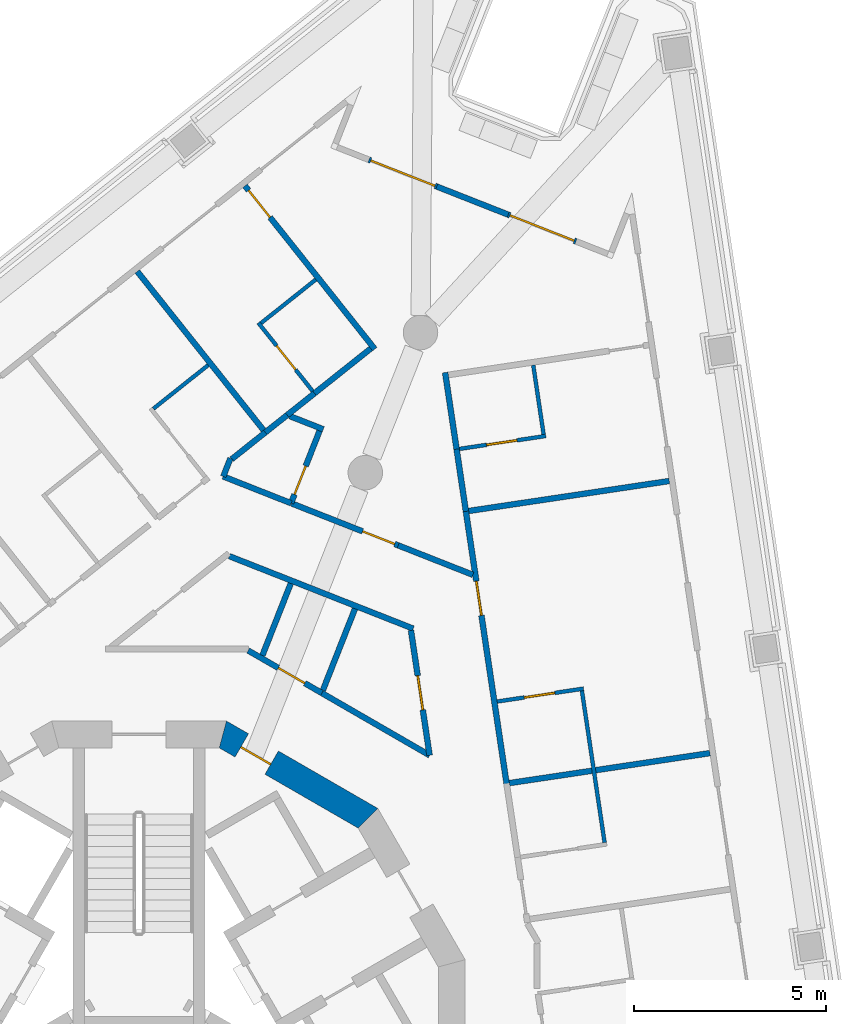
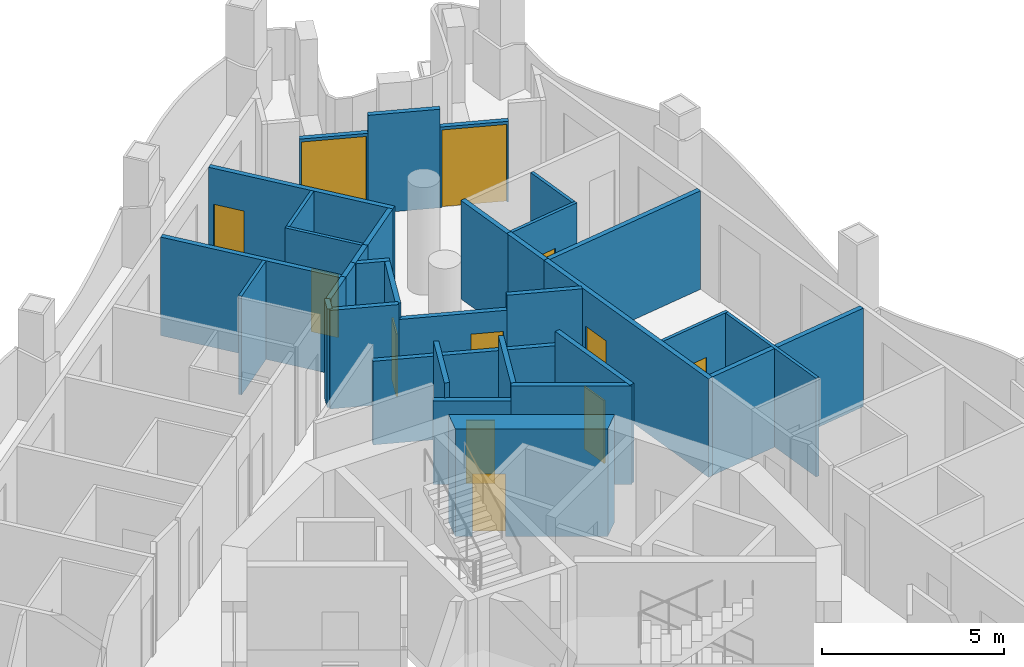
# One storey, part 9 of 17: 34 walls, 12 doors, 12 openings.
"""IFC4 building model written with IfcOpenShell, lengths in metres."""

from ifc_helpers import new_model, si_unit, direction, frame, frame_2d, origin, place, context, subcontext, project, spatial, polyline, rectangle, outline, extrude, material, layer, layer_set, type_object, element, fill, save


model = new_model("IFC4")

# Units and contexts
model_context = context("Model", 3, precision=1e-05, world=origin(), true_north=direction((0.0, 1.0)))
body_context = subcontext(model_context, "Body", "Model", "MODEL_VIEW")
ifc_project = project(units=[si_unit("LENGTHUNIT", "METRE"), si_unit("AREAUNIT", "SQUARE_METRE"), si_unit("VOLUMEUNIT", "CUBIC_METRE"), si_unit("PLANEANGLEUNIT", "RADIAN"), si_unit("MASSUNIT", "GRAM", prefix="KILO")], contexts=[model_context])

# Site, building, storey
site_placement = place(None, origin())
site = spatial("IfcSite", under=ifc_project, at=site_placement, CompositionType="ELEMENT")
building_placement = place(site_placement, origin())
building = spatial("IfcBuilding", under=site, at=building_placement, Name="Trine Commons Tower", CompositionType="ELEMENT")
storey_placement = place(building_placement, frame((0.0, 0.0, 216.0)))
storey = spatial("IfcBuildingStorey", under=building, at=storey_placement, Name="L56", CompositionType="ELEMENT", Elevation=216.0)

# Wall, opening, door
ifc_material_1 = material(Name="Aluminium-framed insulated wall panel", Category="aluminium")
ifc_layer_1 = layer(ifc_material_1, 0.14990234375)
ifc_layer_set_1 = layer_set([ifc_layer_1], Name="Aluminium-framed insulated wall panel")
wall_type_1 = type_object("IfcWallType", Name="Glazed frame wall 150, EI 60", PredefinedType="SOLIDWALL", material=ifc_layer_set_1)
wall_1_placement = place(storey_placement, frame((85.99365234375, 85.628662109375, 0.0), z_axis=(0.0, 0.0, 1.0), x_axis=(0.930387146689, -0.366578446279, 0.0)))
wall_1 = element("IfcWall", 1, at=wall_1_placement, inside=storey, type_object=wall_type_1, Name="Glazed frame wall P1.2", PredefinedType="SOLIDWALL", context=body_context, shape_type="SweptSolid", body=[
    extrude(outline(polyline([(0.0, -0.074951171875), (1.89990234375, -0.074951171875), (1.89990234375, 0.074951171875), (0.0, 0.074951171875), (0.0, -0.074951171875)])), origin(), (0.0, 0.0, 1.0), 2.699951171875),
])
opening_1_placement = place(wall_1_placement, frame((0.050048828125, 0.0, 0.0)))
opening_1 = element("IfcOpeningElement", 2, at=opening_1_placement, cuts=wall_1, Name="Opening BD-6P1-01", PredefinedType="OPENING", context=body_context, shape_type="SweptSolid", body=[
    extrude(rectangle(XDim=1.800048828125, YDim=2.60009765625, at=frame_2d((0.89990234375, 1.300048828125))), frame((0.0, 0.0849609375, 0.0), z_axis=(0.0, -1.0, 0.0), x_axis=(1.0, 0.0, 0.0)), (0.0, 0.0, 1.0), 0.169921875),
])
ifc_material_2 = material(Name="Anodised aluminium frame with double glazing", Category="aluminium")
door_type_1 = type_object("IfcDoorType", Name="Sliding loggia door 1800x2600", OperationType="SLIDING_TO_LEFT", PredefinedType="DOOR", material=ifc_material_2)
door_1_placement = place(opening_1_placement, origin())
door_1 = element("IfcDoor", 3, at=door_1_placement, inside=storey, type_object=door_type_1, Name="Loggia door P1 1", OperationType="SLIDING_TO_LEFT", OverallHeight=2.60009765625, OverallWidth=1.800048828125, PredefinedType="DOOR", context=body_context, shape_type="SweptSolid", body=[
    extrude(rectangle(XDim=1.800048828125, YDim=2.60009765625, at=frame_2d((0.89990234375, 1.300048828125))), frame((0.0, 0.02490234375, 0.0), z_axis=(0.0, -1.0, 0.0), x_axis=(1.0, 0.0, 0.0)), (0.0, 0.0, 1.0), 0.050048828125),
])
fill(opening_1, door_1)

# Wall
wall_2_placement = place(storey_placement, frame((87.761474609375, 84.93212890625, 0.0), z_axis=(0.0, 0.0, 1.0), x_axis=(0.930433620143, -0.366460473323, 0.0)))
element("IfcWall", 4, at=wall_2_placement, inside=storey, type_object=wall_type_1, Name="Glazed frame wall P1.3", PredefinedType="SOLIDWALL", context=body_context, shape_type="SweptSolid", body=[
    extrude(outline(polyline([(0.0, -0.074951171875), (2.0, -0.074951171875), (2.0, 0.074951171875), (0.0, 0.074951171875), (0.0, -0.074951171875)])), origin(), (0.0, 0.0, 1.0), 3.300048828125),
])

# Wall, opening, door
wall_3_placement = place(storey_placement, frame((89.622314453125, 84.19921875, 0.0), z_axis=(0.0, 0.0, 1.0), x_axis=(0.930387146689, -0.366578446279, 0.0)))
wall_3 = element("IfcWall", 5, at=wall_3_placement, inside=storey, type_object=wall_type_1, Name="Glazed frame wall P1.4", PredefinedType="SOLIDWALL", context=body_context, shape_type="SweptSolid", body=[
    extrude(outline(polyline([(0.0, -0.074951171875), (1.89990234375, -0.074951171875), (1.89990234375, 0.074951171875), (0.0, 0.074951171875), (0.0, -0.074951171875)])), origin(), (0.0, 0.0, 1.0), 2.699951171875),
])
opening_2_placement = place(wall_3_placement, frame((0.050048828125, 0.0, 0.0)))
opening_2 = element("IfcOpeningElement", 6, at=opening_2_placement, cuts=wall_3, Name="Opening BD-6P1-02", PredefinedType="OPENING", context=body_context, shape_type="SweptSolid", body=[
    extrude(rectangle(XDim=1.800048828125, YDim=2.60009765625, at=frame_2d((0.89990234375, 1.300048828125))), frame((0.0, 0.0849609375, 0.0), z_axis=(0.0, -1.0, 0.0), x_axis=(1.0, 0.0, 0.0)), (0.0, 0.0, 1.0), 0.169921875),
])
door_2_placement = place(opening_2_placement, origin())
door_2 = element("IfcDoor", 7, at=door_2_placement, inside=storey, type_object=door_type_1, Name="Loggia door P1 2", OperationType="SLIDING_TO_LEFT", OverallHeight=2.60009765625, OverallWidth=1.800048828125, PredefinedType="DOOR", context=body_context, shape_type="SweptSolid", body=[
    extrude(rectangle(XDim=1.800048828125, YDim=2.60009765625, at=frame_2d((0.89990234375, 1.300048828125))), frame((0.0, 0.02490234375, 0.0), z_axis=(0.0, -1.0, 0.0), x_axis=(1.0, 0.0, 0.0)), (0.0, 0.0, 1.0), 0.050048828125),
])
fill(opening_2, door_2)

ifc_material_3 = material(Name="Concrete C60/75", Category="concrete")
ifc_layer_2 = layer(ifc_material_3, 0.699951171875)
ifc_layer_set_2 = layer_set([ifc_layer_2], Name="Concrete C60/75")
wall_type_2 = type_object("IfcWallType", Name="RC shear wall 700 mm, C60/75", PredefinedType="SHEAR", material=ifc_layer_set_2)
wall_4_placement = place(storey_placement, frame((86.047607421875, 68.41943359375, 0.0), z_axis=(0.0, 0.0, 1.0), x_axis=(-0.866034756103, 0.499983800959, 0.0)))
wall_4 = element("IfcWall", 8, at=wall_4_placement, inside=storey, type_object=wall_type_2, Name="Core wall CWF-03 L56", PredefinedType="SHEAR", context=body_context, shape_type="SweptSolid", body=[
    extrude(outline(polyline([(0.0, -0.35009765625), (4.55517578125, -0.35009765625), (4.36767578125, 0.35009765625), (0.1875, 0.35009765625), (0.0, -0.35009765625)])), origin(), (0.0, 0.0, 1.0), 3.60009765625),
])
opening_3_placement = place(wall_4_placement, frame((2.990966796875, 0.0, 0.0)))
opening_3 = element("IfcOpeningElement", 9, at=opening_3_placement, cuts=wall_4, Name="Opening K16.12", PredefinedType="OPENING", context=body_context, shape_type="SweptSolid", body=[
    extrude(rectangle(XDim=0.89990234375, YDim=2.10009765625, at=frame_2d((0.449951171875, 1.050048828125))), frame((0.0, 0.35986328125, 0.0), z_axis=(0.0, -1.0, 0.0), x_axis=(1.0, 0.0, 0.0)), (0.0, 0.0, 1.0), 0.719970703125),
])
ifc_material_4 = material(Name="Steel door leaf, fire-rated", Category="steel")
door_type_2 = type_object("IfcDoorType", Name="Core room door, single leaf 900 x 2100, FD30S", OperationType="SINGLE_SWING_LEFT", PredefinedType="DOOR", material=ifc_material_4)
door_3_placement = place(opening_3_placement, origin())
door_3 = element("IfcDoor", 10, at=door_3_placement, inside=storey, type_object=door_type_2, Name="Door to Core WC L56", OperationType="SINGLE_SWING_RIGHT", OverallHeight=2.10009765625, OverallWidth=0.89990234375, PredefinedType="DOOR", context=body_context, shape_type="SweptSolid", body=[
    extrude(rectangle(XDim=0.89990234375, YDim=2.10009765625, at=frame_2d((0.449951171875, 1.050048828125))), frame((0.0, 0.0751953125, 0.0), z_axis=(0.0, -1.0, 0.0), x_axis=(1.0, 0.0, 0.0)), (0.0, 0.0, 1.0), 0.050048828125),
])
fill(opening_3, door_3)

# Walls
ifc_material_5 = material(Name="Gypsum plasterboard on steel stud", Category="steel")
ifc_layer_3 = layer(ifc_material_5, 0.14990234375)
ifc_layer_set_3 = layer_set([ifc_layer_3], Name="Gypsum plasterboard on steel stud")
wall_type_3 = type_object("IfcWallType", Name="Unit and corridor wall 150 mm, EI 60", PredefinedType="PARTITIONING", material=ifc_layer_set_3)
wall_5_placement = place(storey_placement, frame((79.954833984375, 82.7177734375, 0.0), z_axis=(0.0, 0.0, 1.0), x_axis=(0.622585933561, -0.782551439416, 0.0)))
element("IfcWall", 11, at=wall_5_placement, inside=storey, type_object=wall_type_3, Name="Partition 067", PredefinedType="PARTITIONING", context=body_context, shape_type="SweptSolid", body=[
    extrude(rectangle(XDim=5.28515625, YDim=0.14990234375, at=frame_2d((2.642578125, 0.0))), origin(), (0.0, 0.0, 1.0), 3.300048828125),
])
wall_6_placement = place(storey_placement, frame((82.19189453125, 77.3759765625, 0.0), z_axis=(0.0, 0.0, 1.0), x_axis=(0.93022308185, -0.366994574882, 0.0)))
element("IfcWall", 12, at=wall_6_placement, inside=storey, type_object=wall_type_3, Name="Partition 072", PredefinedType="PARTITIONING", context=body_context, shape_type="SweptSolid", body=[
    extrude(rectangle(XDim=1.9072265625, YDim=0.14990234375, at=frame_2d((0.95361328125, 0.0))), origin(), (0.0, 0.0, 1.0), 3.300048828125),
])
wall_7_placement = place(storey_placement, frame((82.196044921875, 77.3740234375, 0.0), z_axis=(0.0, 0.0, 1.0), x_axis=(0.36499763013, 0.931008447867, 0.0)))
element("IfcWall", 13, at=wall_7_placement, inside=storey, type_object=wall_type_3, Name="Partition 073", PredefinedType="PARTITIONING", context=body_context, shape_type="SweptSolid", body=[
    extrude(rectangle(XDim=0.507568359375, YDim=0.14990234375, at=frame_2d((0.25390625, 0.0))), origin(), (0.0, 0.0, 1.0), 3.300048828125),
])
wall_8_placement = place(storey_placement, frame((82.352783203125, 75.297607421875, 0.0), z_axis=(0.0, 0.0, 1.0), x_axis=(0.930366278921, -0.366631404883, 0.0)))
element("IfcWall", 14, at=wall_8_placement, inside=storey, type_object=wall_type_3, Name="Partition 074", PredefinedType="PARTITIONING", context=body_context, shape_type="SweptSolid", body=[
    extrude(rectangle(XDim=5.15283203125, YDim=0.14990234375, at=frame_2d((2.576416015625, 0.0))), origin(), (0.0, 0.0, 1.0), 2.800048828125),
])
wall_9_placement = place(storey_placement, frame((82.41259765625, 77.82373046875, 0.0), z_axis=(0.0, 0.0, 1.0), x_axis=(0.782730966136, 0.622360212941, 0.0)))
element("IfcWall", 15, at=wall_9_placement, inside=storey, type_object=wall_type_3, Name="Partition 075", PredefinedType="PARTITIONING", context=body_context, shape_type="SweptSolid", body=[
    extrude(rectangle(XDim=1.12353515625, YDim=0.14990234375, at=frame_2d((0.561767578125, 0.0))), origin(), (0.0, 0.0, 1.0), 3.300048828125),
])

# Wall, opening, door
wall_10_placement = place(storey_placement, frame((82.761962890625, 84.94970703125, 0.0), z_axis=(0.0, 0.0, 1.0), x_axis=(0.622457280045, -0.782653776915, 0.0)))
wall_10 = element("IfcWall", 16, at=wall_10_placement, inside=storey, type_object=wall_type_3, Name="Partition 076", PredefinedType="PARTITIONING", context=body_context, shape_type="SweptSolid", body=[
    extrude(rectangle(XDim=5.4345703125, YDim=0.14990234375, at=frame_2d((2.71728515625, 0.0))), origin(), (0.0, 0.0, 1.0), 3.300048828125),
])
opening_4_placement = place(wall_10_placement, frame((0.14990234375, 0.0, 0.0)))
opening_4 = element("IfcOpeningElement", 17, at=opening_4_placement, cuts=wall_10, Name="Opening D-6B12", PredefinedType="OPENING", context=body_context, shape_type="SweptSolid", body=[
    extrude(rectangle(XDim=0.89990234375, YDim=2.10009765625, at=frame_2d((0.449951171875, 1.050048828125))), frame((0.0, 0.0849609375, 0.0), z_axis=(0.0, -1.0, 0.0), x_axis=(1.0, 0.0, 0.0)), (0.0, 0.0, 1.0), 0.169921875),
])
ifc_material_6 = material(Name="Timber fire door set", Category="wood")
door_type_3 = type_object("IfcDoorType", Name="Bedroom door 900 x 2100, FD30S", OperationType="NOTDEFINED", PredefinedType="DOOR", material=ifc_material_6)
door_4_placement = place(opening_4_placement, frame((0.89990234375, 0.0, 0.0), z_axis=(0.0, 0.0, 1.0), x_axis=(-1.0, 0.0, 0.0)))
door_4 = element("IfcDoor", 18, at=door_4_placement, inside=storey, type_object=door_type_3, Name="Door D-6B12", OperationType="SINGLE_SWING_RIGHT", OverallHeight=2.10009765625, OverallWidth=0.89990234375, PredefinedType="DOOR", context=body_context, shape_type="SweptSolid", body=[
    extrude(rectangle(XDim=0.89990234375, YDim=2.10009765625, at=frame_2d((0.449951171875, 1.050048828125))), frame((0.0, 0.02490234375, 0.0), z_axis=(0.0, -1.0, 0.0), x_axis=(1.0, 0.0, 0.0)), (0.0, 0.0, 1.0), 0.050048828125),
])
fill(opening_4, door_4)

wall_11_placement = place(storey_placement, frame((82.844970703125, 72.83740234375, 0.0), z_axis=(0.0, 0.0, 1.0), x_axis=(0.866095831631, -0.499877995546, 0.0)))
wall_11 = element("IfcWall", 19, at=wall_11_placement, inside=storey, type_object=wall_type_3, Name="Partition 077", PredefinedType="PARTITIONING", context=body_context, shape_type="SweptSolid", body=[
    extrude(rectangle(XDim=2.21923828125, YDim=0.14990234375, at=frame_2d((1.109619140625, 0.0))), origin(), (0.0, 0.0, 1.0), 2.800048828125),
])
opening_5_placement = place(wall_11_placement, frame((0.90576171875, 0.0, 0.0)))
opening_5 = element("IfcOpeningElement", 20, at=opening_5_placement, cuts=wall_11, Name="Opening D-6B34", PredefinedType="OPENING", context=body_context, shape_type="SweptSolid", body=[
    extrude(rectangle(XDim=0.800048828125, YDim=2.10009765625, at=frame_2d((0.39990234375, 1.050048828125))), frame((0.0, 0.0849609375, 0.0), z_axis=(0.0, -1.0, 0.0), x_axis=(1.0, 0.0, 0.0)), (0.0, 0.0, 1.0), 0.169921875),
])
ifc_material_7 = material(Name="Painted timber", Category="wood")
door_type_4 = type_object("IfcDoorType", Name="Toilet door 800 x 2100, NOT RATED", OperationType="NOTDEFINED", PredefinedType="DOOR", material=ifc_material_7)
door_5_placement = place(opening_5_placement, origin())
door_5 = element("IfcDoor", 21, at=door_5_placement, inside=storey, type_object=door_type_4, Name="Door D-6B34", OperationType="SINGLE_SWING_RIGHT", OverallHeight=2.10009765625, OverallWidth=0.800048828125, PredefinedType="DOOR", context=body_context, shape_type="SweptSolid", body=[
    extrude(rectangle(XDim=0.800048828125, YDim=2.10009765625, at=frame_2d((0.39990234375, 1.050048828125))), frame((0.0, 0.02490234375, 0.0), z_axis=(0.0, -1.0, 0.0), x_axis=(1.0, 0.0, 0.0)), (0.0, 0.0, 1.0), 0.050048828125),
])
fill(opening_5, door_5)

# Walls
wall_12_placement = place(storey_placement, frame((83.215576171875, 72.709716796875, 0.0), z_axis=(0.0, 0.0, 1.0), x_axis=(0.366603942192, 0.930377100733, 0.0)))
element("IfcWall", 22, at=wall_12_placement, inside=storey, type_object=wall_type_3, Name="Partition 082", PredefinedType="PARTITIONING", context=body_context, shape_type="SweptSolid", body=[
    extrude(rectangle(XDim=2.015869140625, YDim=0.14990234375, at=frame_2d((1.0078125, 0.0))), origin(), (0.0, 0.0, 1.0), 3.300048828125),
])
wall_13_placement = place(storey_placement, frame((83.2919921875, 78.52294921875, 0.0), z_axis=(0.0, 0.0, 1.0), x_axis=(0.782961678727, 0.622069939512, 0.0)))
element("IfcWall", 23, at=wall_13_placement, inside=storey, type_object=wall_type_3, Name="Partition 083", PredefinedType="PARTITIONING", context=body_context, shape_type="SweptSolid", body=[
    extrude(rectangle(XDim=0.726806640625, YDim=0.14990234375, at=frame_2d((0.36328125, 0.0))), origin(), (0.0, 0.0, 1.0), 3.300048828125),
])
wall_14_placement = place(storey_placement, frame((83.861083984375, 78.97509765625, 0.0), z_axis=(0.0, 0.0, 1.0), x_axis=(0.782589200168, 0.622538467712, 0.0)))
element("IfcWall", 24, at=wall_14_placement, inside=storey, type_object=wall_type_3, Name="Partition 084", PredefinedType="PARTITIONING", context=body_context, shape_type="SweptSolid", body=[
    extrude(rectangle(XDim=0.912109375, YDim=0.14990234375, at=frame_2d((0.4560546875, 0.0))), origin(), (0.0, 0.0, 1.0), 3.300048828125),
])
wall_15_placement = place(storey_placement, frame((83.930908203125, 78.947509765625, 0.0), z_axis=(0.0, 0.0, 1.0), x_axis=(0.930564496223, -0.366128008175, 0.0)))
element("IfcWall", 25, at=wall_15_placement, inside=storey, type_object=wall_type_3, Name="Partition 085", PredefinedType="PARTITIONING", context=body_context, shape_type="SweptSolid", body=[
    extrude(rectangle(XDim=0.936767578125, YDim=0.14990234375, at=frame_2d((0.46826171875, 0.0))), origin(), (0.0, 0.0, 1.0), 3.300048828125),
])

# Wall, opening, door
wall_16_placement = place(storey_placement, frame((83.962890625, 76.677978515625, 0.0), z_axis=(0.0, 0.0, 1.0), x_axis=(0.366688940458, 0.9303436037, 0.0)))
wall_16 = element("IfcWall", 26, at=wall_16_placement, inside=storey, type_object=wall_type_3, Name="Partition 086", PredefinedType="PARTITIONING", context=body_context, shape_type="SweptSolid", body=[
    extrude(rectangle(XDim=2.025390625, YDim=0.14990234375, at=frame_2d((1.0126953125, 0.0))), origin(), (0.0, 0.0, 1.0), 3.300048828125),
])
opening_6_placement = place(wall_16_placement, frame((0.24267578125, 0.0, 0.0)))
opening_6 = element("IfcOpeningElement", 27, at=opening_6_placement, cuts=wall_16, Name="Opening D-6B04", PredefinedType="OPENING", context=body_context, shape_type="SweptSolid", body=[
    extrude(rectangle(XDim=0.800048828125, YDim=2.10009765625, at=frame_2d((0.39990234375, 1.050048828125))), frame((0.0, 0.0849609375, 0.0), z_axis=(0.0, -1.0, 0.0), x_axis=(1.0, 0.0, 0.0)), (0.0, 0.0, 1.0), 0.169921875),
])
door_6_placement = place(opening_6_placement, origin())
door_6 = element("IfcDoor", 28, at=door_6_placement, inside=storey, type_object=door_type_4, Name="Door D-6B04", OperationType="SINGLE_SWING_LEFT", OverallHeight=2.10009765625, OverallWidth=0.800048828125, PredefinedType="DOOR", context=body_context, shape_type="SweptSolid", body=[
    extrude(rectangle(XDim=0.800048828125, YDim=2.10009765625, at=frame_2d((0.39990234375, 1.050048828125))), frame((0.0, 0.02490234375, 0.0), z_axis=(0.0, -1.0, 0.0), x_axis=(1.0, 0.0, 0.0)), (0.0, 0.0, 1.0), 0.050048828125),
])
fill(opening_6, door_6)

wall_17_placement = place(storey_placement, frame((83.97705078125, 76.672119140625, 0.0), z_axis=(0.0, 0.0, 1.0), x_axis=(0.930513911047, -0.36625655127, 0.0)))
wall_17 = element("IfcWall", 29, at=wall_17_placement, inside=storey, type_object=wall_type_3, Name="Partition 087", PredefinedType="PARTITIONING", context=body_context, shape_type="SweptSolid", body=[
    extrude(rectangle(XDim=2.987548828125, YDim=0.14990234375, at=frame_2d((1.49365234375, 0.0))), origin(), (0.0, 0.0, 1.0), 2.800048828125),
])
opening_7_placement = place(wall_17_placement, frame((1.987548828125, 0.0, 0.0)))
opening_7 = element("IfcOpeningElement", 30, at=opening_7_placement, cuts=wall_17, Name="Opening D-6B01", PredefinedType="OPENING", context=body_context, shape_type="SweptSolid", body=[
    extrude(rectangle(XDim=0.89990234375, YDim=2.10009765625, at=frame_2d((0.449951171875, 1.050048828125))), frame((0.0, 0.0849609375, 0.0), z_axis=(0.0, -1.0, 0.0), x_axis=(1.0, 0.0, 0.0)), (0.0, 0.0, 1.0), 0.169921875),
])
door_type_5 = type_object("IfcDoorType", Name="Cluster entrance door 900 x 2100, FD30S", OperationType="NOTDEFINED", PredefinedType="DOOR", material=ifc_material_6)
door_7_placement = place(opening_7_placement, origin())
door_7 = element("IfcDoor", 31, at=door_7_placement, inside=storey, type_object=door_type_5, Name="Door D-6B01", OperationType="SINGLE_SWING_RIGHT", OverallHeight=2.10009765625, OverallWidth=0.89990234375, PredefinedType="DOOR", context=body_context, shape_type="SweptSolid", body=[
    extrude(rectangle(XDim=0.89990234375, YDim=2.10009765625, at=frame_2d((0.449951171875, 1.050048828125))), frame((0.0, 0.02490234375, 0.0), z_axis=(0.0, -1.0, 0.0), x_axis=(1.0, 0.0, 0.0)), (0.0, 0.0, 1.0), 0.050048828125),
])
fill(opening_7, door_7)

# Walls
wall_18_placement = place(storey_placement, frame((84.52978515625, 79.5078125, 0.0), z_axis=(0.0, 0.0, 1.0), x_axis=(0.782680939845, 0.622423124894, 0.0)))
element("IfcWall", 32, at=wall_18_placement, inside=storey, type_object=wall_type_3, Name="Partition 088", PredefinedType="PARTITIONING", context=body_context, shape_type="SweptSolid", body=[
    extrude(rectangle(XDim=1.9287109375, YDim=0.14990234375, at=frame_2d((0.96435546875, 0.0))), origin(), (0.0, 0.0, 1.0), 3.300048828125),
])
wall_19_placement = place(storey_placement, frame((84.695068359375, 71.76953125, 0.0), z_axis=(0.0, 0.0, 1.0), x_axis=(0.865931444657, -0.500162706682, 0.0)))
element("IfcWall", 33, at=wall_19_placement, inside=storey, type_object=wall_type_3, Name="Partition 089", PredefinedType="PARTITIONING", context=body_context, shape_type="SweptSolid", body=[
    extrude(rectangle(XDim=3.328125, YDim=0.14990234375, at=frame_2d((1.6640625, 0.0))), origin(), (0.0, 0.0, 1.0), 3.300048828125),
])
wall_20_placement = place(storey_placement, frame((84.79150390625, 71.7998046875, 0.0), z_axis=(0.0, 0.0, 1.0), x_axis=(0.366597370472, 0.930379690214, 0.0)))
element("IfcWall", 34, at=wall_20_placement, inside=storey, type_object=wall_type_3, Name="Partition 090", PredefinedType="PARTITIONING", context=body_context, shape_type="SweptSolid", body=[
    extrude(rectangle(XDim=2.28564453125, YDim=0.14990234375, at=frame_2d((1.142822265625, 0.0))), origin(), (0.0, 0.0, 1.0), 3.300048828125),
])
wall_21_placement = place(storey_placement, frame((86.757080078125, 75.577880859375, 0.0), z_axis=(0.0, 0.0, 1.0), x_axis=(0.930326271928, -0.366732910659, 0.0)))
element("IfcWall", 35, at=wall_21_placement, inside=storey, type_object=wall_type_3, Name="Partition 098", PredefinedType="PARTITIONING", context=body_context, shape_type="SweptSolid", body=[
    extrude(rectangle(XDim=2.089599609375, YDim=0.14990234375, at=frame_2d((1.044921875, 0.0))), origin(), (0.0, 0.0, 1.0), 3.300048828125),
])

# Wall, opening, door
wall_22_placement = place(storey_placement, frame((87.088134765625, 73.36181640625, 0.0), z_axis=(0.0, 0.0, 1.0), x_axis=(0.147629393442, -0.989042750437, 0.0)))
wall_22 = element("IfcWall", 36, at=wall_22_placement, inside=storey, type_object=wall_type_3, Name="Partition 100", PredefinedType="PARTITIONING", context=body_context, shape_type="SweptSolid", body=[
    extrude(rectangle(XDim=3.291015625, YDim=0.14990234375, at=frame_2d((1.6455078125, 0.0))), origin(), (0.0, 0.0, 1.0), 3.300048828125),
])
opening_8_placement = place(wall_22_placement, frame((1.195556640625, 0.0, 0.0)))
opening_8 = element("IfcOpeningElement", 37, at=opening_8_placement, cuts=wall_22, Name="Opening D-6B31", PredefinedType="OPENING", context=body_context, shape_type="SweptSolid", body=[
    extrude(rectangle(XDim=0.89990234375, YDim=2.10009765625, at=frame_2d((0.449951171875, 1.050048828125))), frame((0.0, 0.0849609375, 0.0), z_axis=(0.0, -1.0, 0.0), x_axis=(1.0, 0.0, 0.0)), (0.0, 0.0, 1.0), 0.169921875),
])
door_type_6 = type_object("IfcDoorType", Name="Service door 900 x 2100, FD30S", OperationType="NOTDEFINED", PredefinedType="DOOR", material=ifc_material_6)
door_8_placement = place(opening_8_placement, frame((0.89990234375, 0.0, 0.0), z_axis=(0.0, 0.0, 1.0), x_axis=(-1.0, 0.0, 0.0)))
door_8 = element("IfcDoor", 38, at=door_8_placement, inside=storey, type_object=door_type_6, Name="Door D-6B31", OperationType="SINGLE_SWING_LEFT", OverallHeight=2.10009765625, OverallWidth=0.89990234375, PredefinedType="DOOR", context=body_context, shape_type="SweptSolid", body=[
    extrude(rectangle(XDim=0.89990234375, YDim=2.10009765625, at=frame_2d((0.449951171875, 1.050048828125))), frame((0.0, 0.02490234375, 0.0), z_axis=(0.0, -1.0, 0.0), x_axis=(1.0, 0.0, 0.0)), (0.0, 0.0, 1.0), 0.050048828125),
])
fill(opening_8, door_8)

# Walls
wall_23_placement = place(storey_placement, frame((87.97900390625, 80.084228515625, 0.0), z_axis=(0.0, 0.0, 1.0), x_axis=(0.147880939426, -0.989005170742, 0.0)))
element("IfcWall", 39, at=wall_23_placement, inside=storey, type_object=wall_type_3, Name="Partition 104", PredefinedType="PARTITIONING", context=body_context, shape_type="SweptSolid", body=[
    extrude(rectangle(XDim=2.07861328125, YDim=0.14990234375, at=frame_2d((1.039306640625, 0.0))), origin(), (0.0, 0.0, 1.0), 3.300048828125),
])
wall_24_placement = place(storey_placement, frame((88.278076171875, 78.0859375, 0.0), z_axis=(0.0, 0.0, 1.0), x_axis=(0.147546827558, -0.989055071105, 0.0)))
element("IfcWall", 40, at=wall_24_placement, inside=storey, type_object=wall_type_3, Name="Partition 107", PredefinedType="PARTITIONING", context=body_context, shape_type="SweptSolid", body=[
    extrude(rectangle(XDim=1.639892578125, YDim=0.14990234375, at=frame_2d((0.81982421875, 0.0))), origin(), (0.0, 0.0, 1.0), 3.300048828125),
])

# Wall, opening, door
wall_25_placement = place(storey_placement, frame((88.52001953125, 76.464111328125, 0.0), z_axis=(0.0, 0.0, 1.0), x_axis=(0.147843210757, -0.989010811383, 0.0)))
wall_25 = element("IfcWall", 41, at=wall_25_placement, inside=storey, type_object=wall_type_3, Name="Partition 108", PredefinedType="PARTITIONING", context=body_context, shape_type="SweptSolid", body=[
    extrude(rectangle(XDim=7.2509765625, YDim=0.14990234375, at=frame_2d((3.62548828125, 0.0))), origin(), (0.0, 0.0, 1.0), 3.300048828125),
])
opening_9_placement = place(wall_25_placement, frame((1.843505859375, 0.0, 0.0)))
opening_9 = element("IfcOpeningElement", 42, at=opening_9_placement, cuts=wall_25, Name="Opening D-6B14", PredefinedType="OPENING", context=body_context, shape_type="SweptSolid", body=[
    extrude(rectangle(XDim=0.89990234375, YDim=2.10009765625, at=frame_2d((0.449951171875, 1.050048828125))), frame((0.0, 0.0849609375, 0.0), z_axis=(0.0, -1.0, 0.0), x_axis=(1.0, 0.0, 0.0)), (0.0, 0.0, 1.0), 0.169921875),
])
door_9_placement = place(opening_9_placement, origin())
door_9 = element("IfcDoor", 43, at=door_9_placement, inside=storey, type_object=door_type_3, Name="Door D-6B14", OperationType="SINGLE_SWING_LEFT", OverallHeight=2.10009765625, OverallWidth=0.89990234375, PredefinedType="DOOR", context=body_context, shape_type="SweptSolid", body=[
    extrude(rectangle(XDim=0.89990234375, YDim=2.10009765625, at=frame_2d((0.449951171875, 1.050048828125))), frame((0.0, 0.02490234375, 0.0), z_axis=(0.0, -1.0, 0.0), x_axis=(1.0, 0.0, 0.0)), (0.0, 0.0, 1.0), 0.050048828125),
])
fill(opening_9, door_9)

# Walls
for number, where, z_axis, x_axis, name in (
    (44, (88.59423828125, 76.47509765625, 0.0), (0.0, 0.0, 1.0), (0.989020900083, 0.147775705715, 0.0), "Partition 109"),
    (45, (89.654296875, 69.382080078125, 0.0), (0.0, 0.0, 1.0), (0.989020900083, 0.147775705715, 0.0), "Partition 116"),
):
    element("IfcWall", number, at=place(storey_placement, frame(where, z_axis=z_axis, x_axis=x_axis)), inside=storey, type_object=wall_type_3, Name=name, PredefinedType="PARTITIONING", context=body_context, shape_type="SweptSolid", body=[
        extrude(rectangle(XDim=5.28515625, YDim=0.14990234375, at=frame_2d((2.642578125, 0.0))), origin(), (0.0, 0.0, 1.0), 3.300048828125),
    ])
ifc_layer_4 = layer(ifc_material_5, 0.10009765625)
ifc_layer_set_4 = layer_set([ifc_layer_4], Name="Gypsum plasterboard on steel stud")
wall_type_4 = type_object("IfcWallType", Name="Unit partition 100 mm, no rating", PredefinedType="PARTITIONING", material=ifc_layer_set_4)
wall_26_placement = place(storey_placement, frame((80.373046875, 79.14013671875, 0.0), z_axis=(0.0, 0.0, 1.0), x_axis=(0.782562542096, 0.622571977934, 0.0)))
element("IfcWall", 46, at=wall_26_placement, inside=storey, type_object=wall_type_4, Name="Partition 069", PredefinedType="PARTITIONING", context=body_context, shape_type="SweptSolid", body=[
    extrude(rectangle(XDim=1.824951171875, YDim=0.10009765625, at=frame_2d((0.91259765625, 0.0))), origin(), (0.0, 0.0, 1.0), 3.300048828125),
])

# Wall, opening, door
wall_27_placement = place(storey_placement, frame((83.10986328125, 81.380126953125, 0.0), z_axis=(0.0, 0.0, 1.0), x_axis=(0.622309897633, -0.782770969893, 0.0)))
wall_27 = element("IfcWall", 47, at=wall_27_placement, inside=storey, type_object=wall_type_4, Name="Partition 080", PredefinedType="PARTITIONING", context=body_context, shape_type="SweptSolid", body=[
    extrude(rectangle(XDim=2.274658203125, YDim=0.10009765625, at=frame_2d((1.13720703125, 0.0))), origin(), (0.0, 0.0, 1.0), 3.300048828125),
])
opening_10_placement = place(wall_27_placement, frame((0.76220703125, 0.0, 0.0)))
opening_10 = element("IfcOpeningElement", 48, at=opening_10_placement, cuts=wall_27, Name="Opening D-6B42", PredefinedType="OPENING", context=body_context, shape_type="SweptSolid", body=[
    extrude(rectangle(XDim=0.800048828125, YDim=2.10009765625, at=frame_2d((0.39990234375, 1.050048828125))), frame((0.0, 0.06005859375, 0.0), z_axis=(0.0, -1.0, 0.0), x_axis=(1.0, 0.0, 0.0)), (0.0, 0.0, 1.0), 0.1201171875),
])
door_type_7 = type_object("IfcDoorType", Name="Internal door 800 x 2100, NOT RATED", OperationType="NOTDEFINED", PredefinedType="DOOR", material=ifc_material_7)
door_10_placement = place(opening_10_placement, frame((0.800048828125, 0.0, 0.0), z_axis=(0.0, 0.0, 1.0), x_axis=(-1.0, 0.0, 0.0)))
door_10 = element("IfcDoor", 49, at=door_10_placement, inside=storey, type_object=door_type_7, Name="Door D-6B42", OperationType="SINGLE_SWING_LEFT", OverallHeight=2.10009765625, OverallWidth=0.800048828125, PredefinedType="DOOR", context=body_context, shape_type="SweptSolid", body=[
    extrude(rectangle(XDim=0.800048828125, YDim=2.10009765625, at=frame_2d((0.39990234375, 1.050048828125))), frame((0.0, 0.02490234375, 0.0), z_axis=(0.0, -1.0, 0.0), x_axis=(1.0, 0.0, 0.0)), (0.0, 0.0, 1.0), 0.050048828125),
])
fill(opening_10, door_10)

# Wall
wall_28_placement = place(storey_placement, frame((83.18017578125, 81.3720703125, 0.0), z_axis=(0.0, 0.0, 1.0), x_axis=(0.782562542096, 0.622571977934, 0.0)))
element("IfcWall", 50, at=wall_28_placement, inside=storey, type_object=wall_type_4, Name="Partition 081", PredefinedType="PARTITIONING", context=body_context, shape_type="SweptSolid", body=[
    extrude(rectangle(XDim=1.824951171875, YDim=0.10009765625, at=frame_2d((0.91259765625, 0.0))), origin(), (0.0, 0.0, 1.0), 3.300048828125),
])

# Wall, opening, door
wall_29_placement = place(storey_placement, frame((88.352294921875, 78.093017578125, 0.0), z_axis=(0.0, 0.0, 1.0), x_axis=(0.989007860101, 0.147862952286, 0.0)))
wall_29 = element("IfcWall", 51, at=wall_29_placement, inside=storey, type_object=wall_type_4, Name="Partition 106", PredefinedType="PARTITIONING", context=body_context, shape_type="SweptSolid", body=[
    extrude(rectangle(XDim=2.275146484375, YDim=0.10009765625, at=frame_2d((1.1376953125, 0.0))), origin(), (0.0, 0.0, 1.0), 3.300048828125),
])
opening_11_placement = place(wall_29_placement, frame((0.712646484375, 0.0, 0.0)))
opening_11 = element("IfcOpeningElement", 52, at=opening_11_placement, cuts=wall_29, Name="Opening D-6B43", PredefinedType="OPENING", context=body_context, shape_type="SweptSolid", body=[
    extrude(rectangle(XDim=0.800048828125, YDim=2.10009765625, at=frame_2d((0.39990234375, 1.050048828125))), frame((0.0, 0.06005859375, 0.0), z_axis=(0.0, -1.0, 0.0), x_axis=(1.0, 0.0, 0.0)), (0.0, 0.0, 1.0), 0.1201171875),
])
door_11_placement = place(opening_11_placement, frame((0.800048828125, 0.0, 0.0), z_axis=(0.0, 0.0, 1.0), x_axis=(-1.0, 0.0, 0.0)))
door_11 = element("IfcDoor", 53, at=door_11_placement, inside=storey, type_object=door_type_7, Name="Door D-6B43", OperationType="SINGLE_SWING_RIGHT", OverallHeight=2.10009765625, OverallWidth=0.800048828125, PredefinedType="DOOR", context=body_context, shape_type="SweptSolid", body=[
    extrude(rectangle(XDim=0.800048828125, YDim=2.10009765625, at=frame_2d((0.39990234375, 1.050048828125))), frame((0.0, 0.02490234375, 0.0), z_axis=(0.0, -1.0, 0.0), x_axis=(1.0, 0.0, 0.0)), (0.0, 0.0, 1.0), 0.050048828125),
])
fill(opening_11, door_11)

wall_30_placement = place(storey_placement, frame((89.336181640625, 71.508056640625, 0.0), z_axis=(0.0, 0.0, 1.0), x_axis=(0.989007860101, 0.147862952286, 0.0)))
wall_30 = element("IfcWall", 54, at=wall_30_placement, inside=storey, type_object=wall_type_4, Name="Partition 114", PredefinedType="PARTITIONING", context=body_context, shape_type="SweptSolid", body=[
    extrude(rectangle(XDim=2.275146484375, YDim=0.10009765625, at=frame_2d((1.1376953125, 0.0))), origin(), (0.0, 0.0, 1.0), 3.300048828125),
])
opening_12_placement = place(wall_30_placement, frame((0.712646484375, 0.0, 0.0)))
opening_12 = element("IfcOpeningElement", 55, at=opening_12_placement, cuts=wall_30, Name="Opening D-6B44", PredefinedType="OPENING", context=body_context, shape_type="SweptSolid", body=[
    extrude(rectangle(XDim=0.800048828125, YDim=2.10009765625, at=frame_2d((0.39990234375, 1.050048828125))), frame((0.0, 0.06005859375, 0.0), z_axis=(0.0, -1.0, 0.0), x_axis=(1.0, 0.0, 0.0)), (0.0, 0.0, 1.0), 0.1201171875),
])
door_12_placement = place(opening_12_placement, origin())
door_12 = element("IfcDoor", 56, at=door_12_placement, inside=storey, type_object=door_type_7, Name="Door D-6B44", OperationType="SINGLE_SWING_LEFT", OverallHeight=2.10009765625, OverallWidth=0.800048828125, PredefinedType="DOOR", context=body_context, shape_type="SweptSolid", body=[
    extrude(rectangle(XDim=0.800048828125, YDim=2.10009765625, at=frame_2d((0.39990234375, 1.050048828125))), frame((0.0, 0.02490234375, 0.0), z_axis=(0.0, -1.0, 0.0), x_axis=(1.0, 0.0, 0.0)), (0.0, 0.0, 1.0), 0.050048828125),
])
fill(opening_12, door_12)

# Walls
wall_31_placement = place(storey_placement, frame((90.276123046875, 80.27587890625, 0.0), z_axis=(0.0, 0.0, 1.0), x_axis=(0.14773187693, -0.989027447819, 0.0)))
element("IfcWall", 57, at=wall_31_placement, inside=storey, type_object=wall_type_4, Name="Partition 122", PredefinedType="PARTITIONING", context=body_context, shape_type="SweptSolid", body=[
    extrude(rectangle(XDim=1.824462890625, YDim=0.10009765625, at=frame_2d((0.912109375, 0.0))), origin(), (0.0, 0.0, 1.0), 3.300048828125),
])
wall_32_placement = place(storey_placement, frame((91.54443359375, 71.78759765625, 0.0), z_axis=(0.0, 0.0, 1.0), x_axis=(0.147767379107, -0.989022144177, 0.0)))
element("IfcWall", 58, at=wall_32_placement, inside=storey, type_object=wall_type_4, Name="Partition 132", PredefinedType="PARTITIONING", context=body_context, shape_type="SweptSolid", body=[
    extrude(rectangle(XDim=4.0, YDim=0.10009765625, at=frame_2d((2.0, 0.0))), origin(), (0.0, 0.0, 1.0), 3.300048828125),
])

save(model, "model.ifc")
